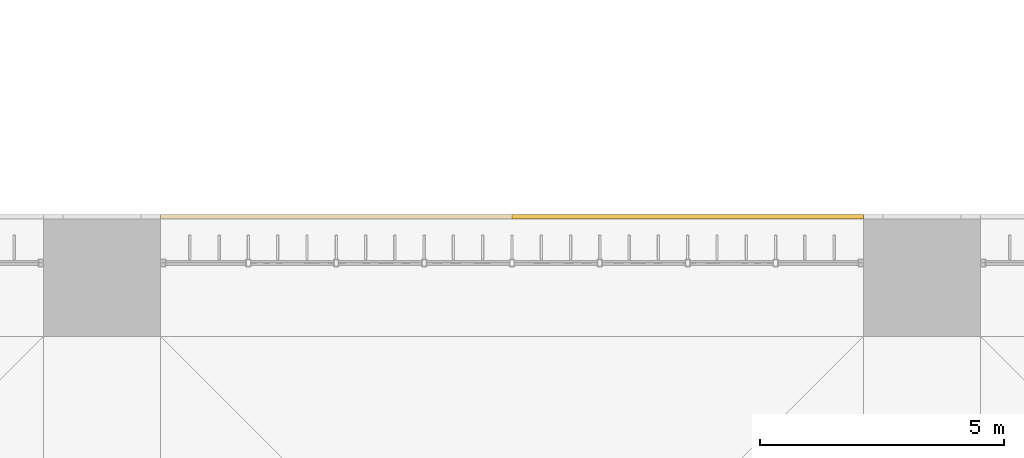
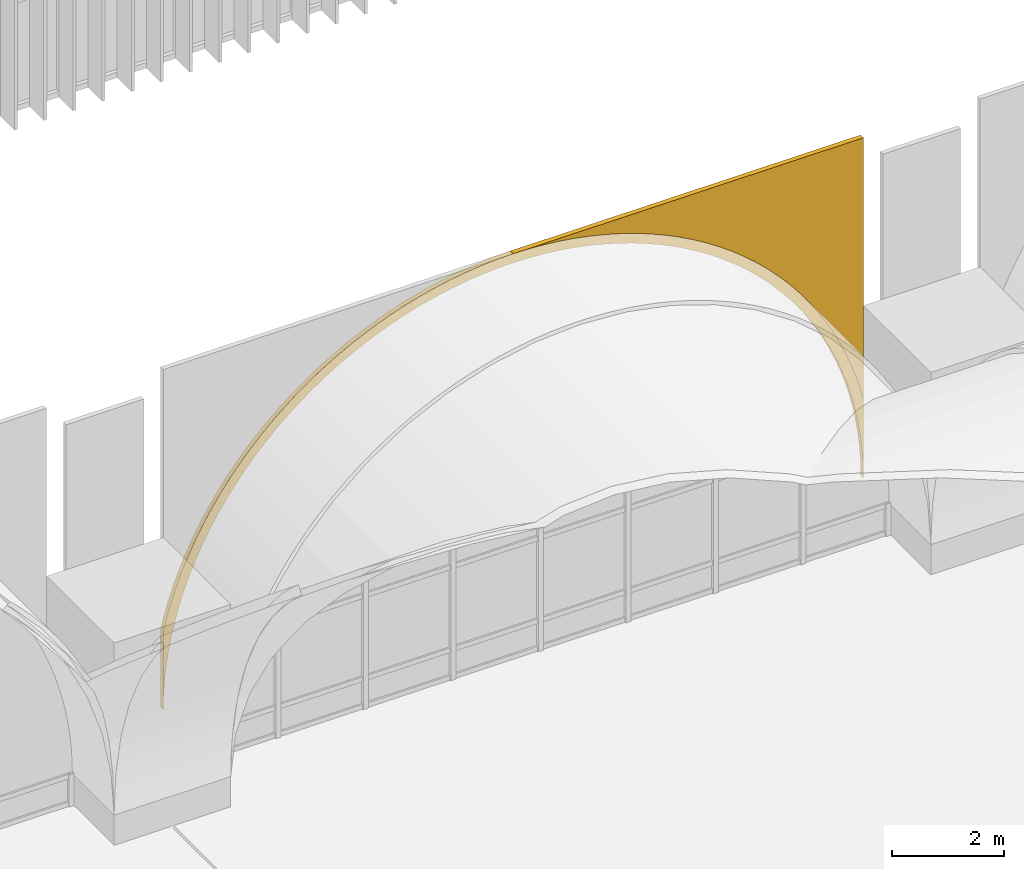
# One storey, part 160 of 169: 2 coverings.
"""IFC4 building model written with IfcOpenShell, lengths in metres."""

from ifc_helpers import new_model, si_unit, direction, frame, origin, place, context, subcontext, project, spatial, polyline, outline, extrude, material, layer, layer_set, type_object, element, save


model = new_model("IFC4")

# Units and contexts
model_context = context("Model", 3, precision=1e-05, world=origin(), true_north=direction((0.0, 1.0)))
body_context = subcontext(model_context, "Body", "Model", "MODEL_VIEW")
ifc_project = project(units=[si_unit("LENGTHUNIT", "METRE"), si_unit("AREAUNIT", "SQUARE_METRE"), si_unit("VOLUMEUNIT", "CUBIC_METRE"), si_unit("PLANEANGLEUNIT", "RADIAN"), si_unit("MASSUNIT", "GRAM", prefix="KILO")], contexts=[model_context])

# Site, building, storey
site_placement = place(None, origin())
site = spatial("IfcSite", under=ifc_project, at=site_placement, CompositionType="ELEMENT")
building_placement = place(site_placement, origin())
building = spatial("IfcBuilding", under=site, at=building_placement, Name="Verrick Yard Athletic Hall", CompositionType="ELEMENT")
storey_placement = place(building_placement, frame((0.0, 0.0, 4.39990234375)))
storey = spatial("IfcBuildingStorey", under=building, at=storey_placement, Name="L01", CompositionType="ELEMENT", Elevation=4.39990234375)

# Coverings
ifc_material = material(Name="Limestone cladding", Category="masonry")
ifc_layer_1 = layer(ifc_material, 0.10009765625)
ifc_layer_set_1 = layer_set([ifc_layer_1], Name="Arch ring cladding")
covering_type_1 = type_object("IfcCoveringType", Name="Arch ring cladding", PredefinedType="CLADDING", material=ifc_layer_set_1)
covering_1_placement = place(storey_placement, frame((125.199951171875, 54.050048828125, 0.650146484375), z_axis=(0.0, 0.0, 1.0), x_axis=(1.0, 0.0, 0.0)))
element("IfcCovering", 1, at=covering_1_placement, inside=storey, type_object=covering_type_1, Name="Arch ring RN6", PredefinedType="CLADDING", context=body_context, shape_type="SweptSolid", body=[
    extrude(outline(polyline([(0.0, 1.7021484375), (0.0, 0.0), (0.0068359375, 0.31396484375), (0.02734375, 0.62744140625), (0.0615234375, 0.939697265625), (0.109375, 1.250244140625), (0.170654296875, 1.558349609375), (0.245361328125, 1.863525390625), (0.333251953125, 2.1650390625), (0.43408203125, 2.46240234375), (0.548095703125, 2.75537109375), (0.674560546875, 3.04296875), (0.8134765625, 3.324462890625), (0.964599609375, 3.599853515625), (1.127685546875, 3.86865234375), (1.302001953125, 4.129638671875), (1.48779296875, 4.383056640625), (1.6845703125, 4.6279296875), (1.8916015625, 4.8642578125), (2.10888671875, 5.091064453125), (2.335693359375, 5.308349609375), (2.572021484375, 5.515380859375), (2.81689453125, 5.712158203125), (3.0703125, 5.89794921875), (3.331298828125, 6.072265625), (3.60009765625, 6.2353515625), (3.87548828125, 6.386474609375), (4.156982421875, 6.525390625), (4.444580078125, 6.65185546875), (4.737548828125, 6.765869140625), (5.034912109375, 6.86669921875), (5.33642578125, 6.95458984375), (5.6416015625, 7.029296875), (5.94970703125, 7.090576171875), (6.26025390625, 7.138427734375), (6.572509765625, 7.172607421875), (6.885986328125, 7.193115234375), (7.199951171875, 7.199951171875), (7.51416015625, 7.193115234375), (7.827392578125, 7.172607421875), (8.139892578125, 7.138427734375), (8.4501953125, 7.090576171875), (8.75830078125, 7.029296875), (9.0634765625, 6.95458984375), (9.364990234375, 6.86669921875), (9.66259765625, 6.765869140625), (9.955322265625, 6.65185546875), (10.242919921875, 6.525390625), (10.524658203125, 6.386474609375), (10.800048828125, 6.2353515625), (11.068603515625, 6.072265625), (11.329833984375, 5.89794921875), (11.5830078125, 5.712158203125), (11.828125, 5.515380859375), (12.064208984375, 5.308349609375), (12.291259765625, 5.091064453125), (12.50830078125, 4.8642578125), (12.715576171875, 4.6279296875), (12.912109375, 4.383056640625), (13.097900390625, 4.129638671875), (13.2724609375, 3.86865234375), (13.435302734375, 3.599853515625), (13.58642578125, 3.324462890625), (13.725341796875, 3.04296875), (13.851806640625, 2.75537109375), (13.9658203125, 2.46240234375), (14.06689453125, 2.1650390625), (14.15478515625, 1.863525390625), (14.229248046875, 1.558349609375), (14.29052734375, 1.250244140625), (14.33837890625, 0.939697265625), (14.37255859375, 0.62744140625), (14.39306640625, 0.31396484375), (14.39990234375, 0.0), (14.39990234375, 1.7021484375), (14.347900390625, 1.915283203125), (14.257568359375, 2.22509765625), (14.15380859375, 2.53076171875), (14.03662109375, 2.831787109375), (13.90673828125, 3.12744140625), (13.763916015625, 3.416748046875), (13.608642578125, 3.699951171875), (13.441162109375, 3.975830078125), (13.26171875, 4.244384765625), (13.07080078125, 4.504638671875), (12.86865234375, 4.756591796875), (12.656005859375, 4.999267578125), (12.4326171875, 5.232666015625), (12.199462890625, 5.455810546875), (11.95654296875, 5.668701171875), (11.704833984375, 5.870849609375), (11.444580078125, 6.061767578125), (11.176025390625, 6.240966796875), (10.89990234375, 6.408447265625), (10.616943359375, 6.56396484375), (10.327392578125, 6.70654296875), (10.031982421875, 6.836669921875), (9.73095703125, 6.95361328125), (9.42529296875, 7.057373046875), (9.115234375, 7.14794921875), (8.8017578125, 7.224609375), (8.485107421875, 7.28759765625), (8.166015625, 7.336669921875), (7.844970703125, 7.371826171875), (7.522705078125, 7.39306640625), (7.199951171875, 7.39990234375), (6.877197265625, 7.39306640625), (6.554931640625, 7.371826171875), (6.234130859375, 7.336669921875), (5.9150390625, 7.28759765625), (5.598388671875, 7.224609375), (5.28466796875, 7.14794921875), (4.974853515625, 7.057373046875), (4.669189453125, 6.95361328125), (4.3681640625, 6.836669921875), (4.072509765625, 6.70654296875), (3.783203125, 6.56396484375), (3.5, 6.408447265625), (3.22412109375, 6.240966796875), (2.95556640625, 6.061767578125), (2.6953125, 5.870849609375), (2.443359375, 5.668701171875), (2.20068359375, 5.455810546875), (1.96728515625, 5.232666015625), (1.744140625, 4.999267578125), (1.53125, 4.756591796875), (1.3291015625, 4.504638671875), (1.13818359375, 4.244384765625), (0.958984375, 3.975830078125), (0.79150390625, 3.699951171875), (0.635986328125, 3.416748046875), (0.493408203125, 3.12744140625), (0.36328125, 2.831787109375), (0.246337890625, 2.53076171875), (0.142578125, 2.22509765625), (0.052001953125, 1.915283203125), (0.0, 1.7021484375)])), frame((0.0, 0.050048828125, 0.0), z_axis=(0.0, -1.0, 0.0), x_axis=(1.0, 0.0, 0.0)), (0.0, 0.0, 1.0), 0.10009765625),
])
ifc_layer_2 = layer(ifc_material, 0.10009765625)
ifc_layer_set_2 = layer_set([ifc_layer_2], Name="Spandrel cladding")
covering_type_2 = type_object("IfcCoveringType", Name="Spandrel cladding", PredefinedType="CLADDING", material=ifc_layer_set_2)
covering_2_placement = place(storey_placement, frame((125.199951171875, 54.050048828125, 2.352294921875), z_axis=(0.0, 0.0, 1.0), x_axis=(1.0, 0.0, 0.0)))
element("IfcCovering", 2, at=covering_2_placement, inside=storey, type_object=covering_type_2, Name="Spandrel RN6.2", PredefinedType="CLADDING", context=body_context, shape_type="SweptSolid", body=[
    extrude(outline(polyline([(7.199951171875, 5.69775390625), (7.522705078125, 5.69091796875), (7.844970703125, 5.669677734375), (8.166015625, 5.634521484375), (8.485107421875, 5.58544921875), (8.8017578125, 5.5224609375), (9.115234375, 5.44580078125), (9.42529296875, 5.355224609375), (9.73095703125, 5.25146484375), (10.031982421875, 5.134521484375), (10.327392578125, 5.00439453125), (10.616943359375, 4.86181640625), (10.89990234375, 4.706298828125), (11.176025390625, 4.538818359375), (11.444580078125, 4.359619140625), (11.704833984375, 4.168701171875), (11.95654296875, 3.966552734375), (12.199462890625, 3.753662109375), (12.4326171875, 3.530517578125), (12.656005859375, 3.297119140625), (12.86865234375, 3.054443359375), (13.07080078125, 2.802490234375), (13.26171875, 2.542236328125), (13.441162109375, 2.273681640625), (13.608642578125, 1.997802734375), (13.763916015625, 1.714599609375), (13.90673828125, 1.42529296875), (14.03662109375, 1.129638671875), (14.15380859375, 0.82861328125), (14.257568359375, 0.52294921875), (14.347900390625, 0.213134765625), (14.39990234375, 0.0), (14.39990234375, 5.69775390625), (7.199951171875, 5.69775390625)])), frame((0.0, 0.050048828125, 0.0), z_axis=(0.0, -1.0, 0.0), x_axis=(1.0, 0.0, 0.0)), (0.0, 0.0, 1.0), 0.10009765625),
])

save(model, "model.ifc")
